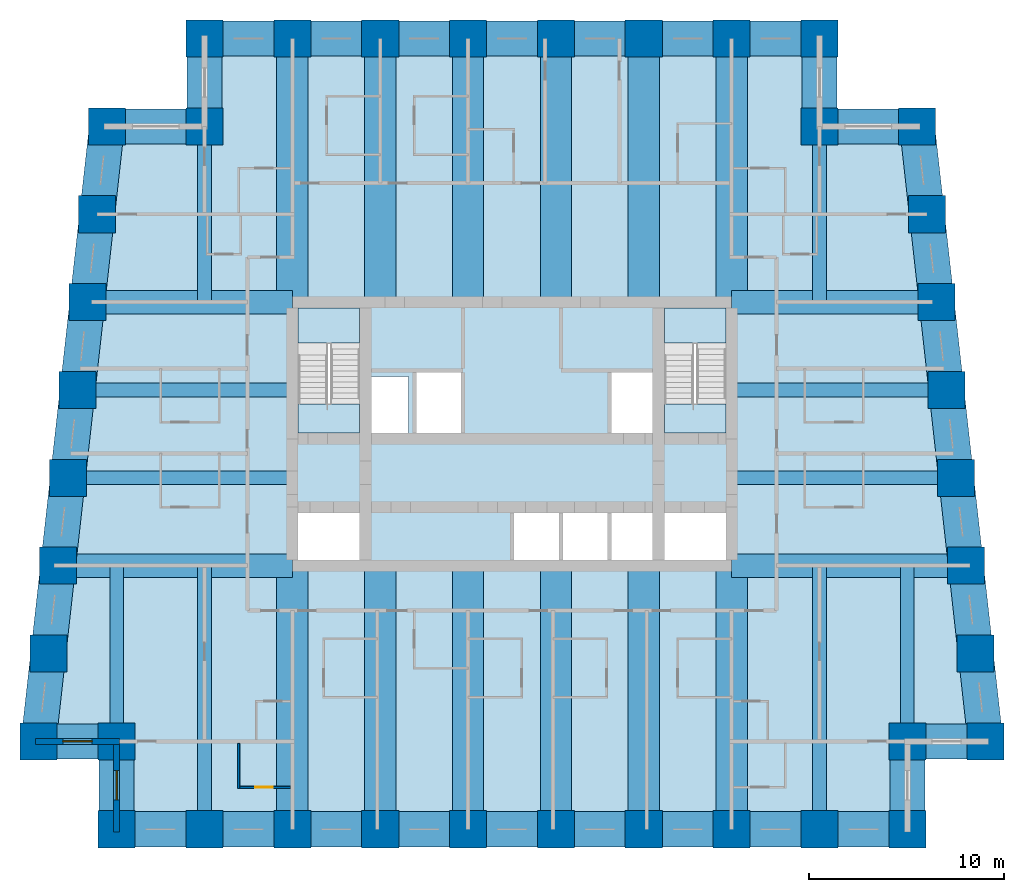
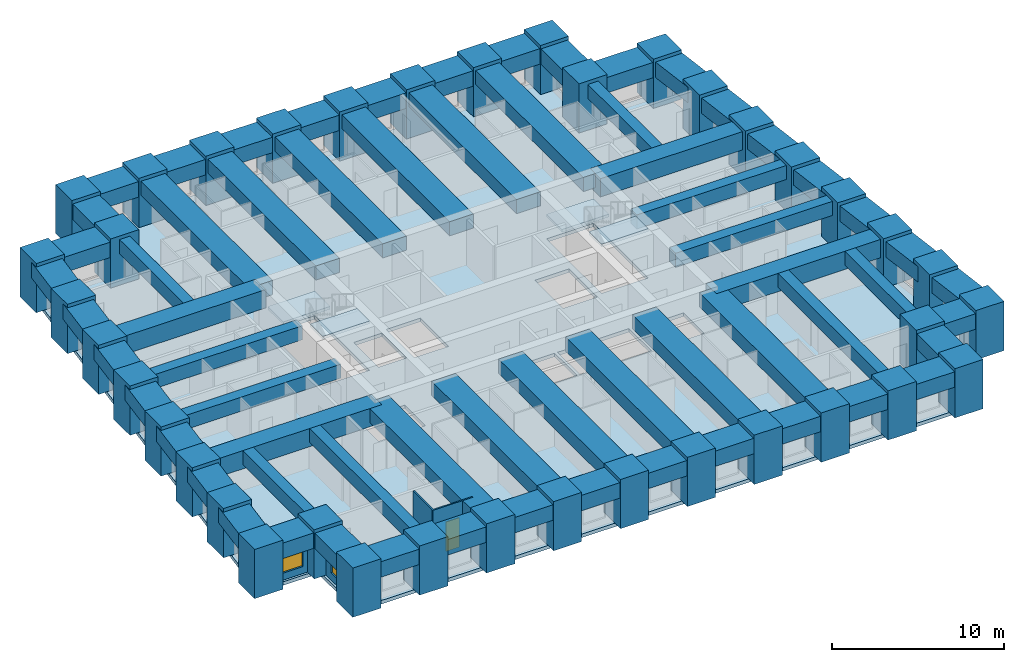
# One storey, part 1 of 8: 64 beams, 38 columns, 5 slabs, 4 walls, 2 windows, 1 door, 3 openings, 2 elements without a shape of their own.
"""IFC4 building model written with IfcOpenShell, lengths in metres."""

from ifc_helpers import new_model, si_unit, direction, frame, frame_2d, origin, origin_2d, place, context, subcontext, project, spatial, polyline, rectangle, outline, extrude, material, layer, layer_set, material_profile, profile_set, type_object, element, fill, aggregate, save


model = new_model("IFC4")

# Units and contexts
model_context = context("Model", 3, precision=1e-05, world=origin(), true_north=direction((0.0, 1.0)))
body_context = subcontext(model_context, "Body", "Model", "MODEL_VIEW")
ifc_project = project(units=[si_unit("LENGTHUNIT", "METRE"), si_unit("AREAUNIT", "SQUARE_METRE"), si_unit("VOLUMEUNIT", "CUBIC_METRE"), si_unit("PLANEANGLEUNIT", "RADIAN"), si_unit("MASSUNIT", "GRAM", prefix="KILO")], contexts=[model_context])

# Site, building, storey
site_placement = place(None, origin())
site = spatial("IfcSite", under=ifc_project, at=site_placement, CompositionType="ELEMENT")
building_placement = place(site_placement, origin())
building = spatial("IfcBuilding", under=site, at=building_placement, Name="Kilele Tower Hotel", CompositionType="ELEMENT")
storey_placement = place(building_placement, frame((0.0, 0.0, 100.39990234375)))
storey = spatial("IfcBuildingStorey", under=building, at=storey_placement, Name="L25", CompositionType="ELEMENT", Elevation=100.39990234375)

# Columns
ifc_material_1 = material(Name="Concrete C70/85", Category="concrete")
ifc_material_profile_1 = material_profile(ifc_material_1, rectangle(XDim=1.89990234375, YDim=1.89990234375, at=origin_2d()))
ifc_profile_set_1 = profile_set([ifc_material_profile_1], Name="Concrete C70/85")
column_type = type_object("IfcColumnType", Name="Tube column RC 1900x1900 C70/85", PredefinedType="COLUMN", material=ifc_profile_set_1)
for number, where, z_axis, x_axis, name in (
    (1, (0.5, 4.5, 0.0), (0.0, 0.0, 1.0), (1.0, 0.0, 0.0), "Column TC2 L25"),
    (2, (4.5, 4.5, 0.0), (0.0, 0.0, 1.0), (1.0, 0.0, 0.0), "Column TC2 L25"),
    (3, (4.5, 0.0, 0.0), (0.0, 0.0, 1.0), (1.0, 0.0, 0.0), "Column TC2 L25"),
    (4, (9.0, 0.0, 0.0), (0.0, 0.0, 1.0), (1.0, 0.0, 0.0), "Column TC2 L25"),
    (5, (13.5, 0.0, 0.0), (0.0, 0.0, 1.0), (1.0, 0.0, 0.0), "Column TC2 L25"),
    (6, (18.0, 0.0, 0.0), (0.0, 0.0, 1.0), (1.0, 0.0, 0.0), "Column TC2 L25"),
    (7, (22.5, 0.0, 0.0), (0.0, 0.0, 1.0), (1.0, 0.0, 0.0), "Column TC2 L25"),
    (8, (27.0, 0.0, 0.0), (0.0, 0.0, 1.0), (1.0, 0.0, 0.0), "Column TC2 L25"),
    (9, (31.5, 0.0, 0.0), (0.0, 0.0, 1.0), (1.0, 0.0, 0.0), "Column TC2 L25"),
    (10, (36.0, 0.0, 0.0), (0.0, 0.0, 1.0), (1.0, 0.0, 0.0), "Column TC2 L25"),
    (11, (40.5, 0.0, 0.0), (0.0, 0.0, 1.0), (1.0, 0.0, 0.0), "Column TC2 L25"),
    (12, (45.0, 0.0, 0.0), (0.0, 0.0, 1.0), (1.0, 0.0, 0.0), "Column TC2 L25"),
    (13, (45.0, 4.5, 0.0), (0.0, 0.0, 1.0), (1.0, 0.0, 0.0), "Column TC2 L25"),
    (14, (49.0, 4.5, 0.0), (0.0, 0.0, 1.0), (1.0, 0.0, 0.0), "Column TC2 L25"),
    (15, (48.5, 9.0, 0.0), (0.0, 0.0, 1.0), (1.0, 0.0, 0.0), "Column TC2 L25"),
    (16, (48.0, 13.5, 0.0), (0.0, 0.0, 1.0), (1.0, 0.0, 0.0), "Column TC2 L25"),
    (17, (47.5, 18.0, 0.0), (0.0, 0.0, 1.0), (1.0, 0.0, 0.0), "Column TC2 L25"),
    (18, (47.0, 22.5, 0.0), (0.0, 0.0, 1.0), (1.0, 0.0, 0.0), "Column TC2 L25"),
    (19, (46.5, 27.0, 0.0), (0.0, 0.0, 1.0), (1.0, 0.0, 0.0), "Column TC2 L25"),
    (20, (46.0, 31.5, 0.0), (0.0, 0.0, 1.0), (1.0, 0.0, 0.0), "Column TC2 L25"),
    (21, (45.5, 36.0, 0.0), (0.0, 0.0, 1.0), (1.0, 0.0, 0.0), "Column TC2 L25"),
    (22, (40.5, 36.0, 0.0), (0.0, 0.0, 1.0), (1.0, 0.0, 0.0), "Column TC2 L25"),
    (23, (40.5, 40.5, 0.0), (0.0, 0.0, 1.0), (1.0, 0.0, 0.0), "Column TC2 L25"),
    (24, (36.0, 40.5, 0.0), (0.0, 0.0, 1.0), (1.0, 0.0, 0.0), "Column TC2 L25"),
    (25, (31.5, 40.5, 0.0), (0.0, 0.0, 1.0), (1.0, 0.0, 0.0), "Column TC2 L25"),
    (26, (27.0, 40.5, 0.0), (0.0, 0.0, 1.0), (1.0, 0.0, 0.0), "Column TC2 L25"),
    (27, (22.5, 40.5, 0.0), (0.0, 0.0, 1.0), (1.0, 0.0, 0.0), "Column TC2 L25"),
    (28, (18.0, 40.5, 0.0), (0.0, 0.0, 1.0), (1.0, 0.0, 0.0), "Column TC2 L25"),
    (29, (13.5, 40.5, 0.0), (0.0, 0.0, 1.0), (1.0, 0.0, 0.0), "Column TC2 L25"),
    (30, (9.0, 40.5, 0.0), (0.0, 0.0, 1.0), (1.0, 0.0, 0.0), "Column TC2 L25"),
    (31, (9.0, 36.0, 0.0), (0.0, 0.0, 1.0), (1.0, 0.0, 0.0), "Column TC2 L25"),
    (32, (4.0, 36.0, 0.0), (0.0, 0.0, 1.0), (1.0, 0.0, 0.0), "Column TC2 L25"),
    (33, (3.5, 31.5, 0.0), (0.0, 0.0, 1.0), (1.0, 0.0, 0.0), "Column TC2 L25"),
    (34, (3.0, 27.0, 0.0), (0.0, 0.0, 1.0), (1.0, 0.0, 0.0), "Column TC2 L25"),
    (35, (2.5, 22.5, 0.0), (0.0, 0.0, 1.0), (1.0, 0.0, 0.0), "Column TC2 L25"),
    (36, (2.0, 18.0, 0.0), (0.0, 0.0, 1.0), (1.0, 0.0, 0.0), "Column TC2 L25"),
    (37, (1.5, 13.5, 0.0), (0.0, 0.0, 1.0), (1.0, 0.0, 0.0), "Column TC2 L25"),
    (38, (1.0, 9.0, 0.0), (0.0, 0.0, 1.0), (1.0, 0.0, 0.0), "Column TC2 L25"),
):
    element("IfcColumn", number, at=place(storey_placement, frame(where, z_axis=z_axis, x_axis=x_axis)), inside=storey, type_object=column_type, Name=name, PredefinedType="COLUMN", context=body_context, shape_type="SweptSolid", body=[
        extrude(rectangle(XDim=1.89990234375, YDim=1.89990234375, at=origin_2d()), origin(), (0.0, 0.0, 1.0), 3.5),
    ])

# Beams
ifc_material_2 = material(Name="Concrete C60/75", Category="concrete")
ifc_material_profile_2 = material_profile(ifc_material_2, rectangle(XDim=1.60009765625, YDim=1.0, at=origin_2d()))
ifc_profile_set_2 = profile_set([ifc_material_profile_2], Name="Concrete C60/75")
beam_type_1 = type_object("IfcBeamType", Name="Beam RC 1600x1000 C60/75", PredefinedType="BEAM", material=ifc_profile_set_2)
for number, where, z_axis, x_axis, name in (
    (39, (13.5, 0.0, 2.75), (0.0, 1.0, 0.0), (-1.0, 0.0, 0.0), "Beam BC1 level L26"),
    (40, (18.0, 0.0, 2.75), (0.0, 1.0, 0.0), (-1.0, 0.0, 0.0), "Beam BC1 level L26"),
    (41, (22.5, 0.0, 2.75), (0.0, 1.0, 0.0), (-1.0, 0.0, 0.0), "Beam BC1 level L26"),
    (42, (27.0, 0.0, 2.75), (0.0, 1.0, 0.0), (-1.0, 0.0, 0.0), "Beam BC1 level L26"),
    (43, (31.5, 0.0, 2.75), (0.0, 1.0, 0.0), (-1.0, 0.0, 0.0), "Beam BC1 level L26"),
    (44, (36.0, 0.0, 2.75), (0.0, 1.0, 0.0), (-1.0, 0.0, 0.0), "Beam BC1 level L26"),
    (45, (36.0, 40.5, 2.75), (0.0, -1.0, 0.0), (1.0, 0.0, 0.0), "Beam BC1 level L26"),
    (46, (31.5, 40.5, 2.75), (0.0, -1.0, 0.0), (1.0, 0.0, 0.0), "Beam BC1 level L26"),
    (47, (27.0, 40.5, 2.75), (0.0, -1.0, 0.0), (1.0, 0.0, 0.0), "Beam BC1 level L26"),
    (48, (22.5, 40.5, 2.75), (0.0, -1.0, 0.0), (1.0, 0.0, 0.0), "Beam BC1 level L26"),
    (49, (18.0, 40.5, 2.75), (0.0, -1.0, 0.0), (1.0, 0.0, 0.0), "Beam BC1 level L26"),
    (50, (13.5, 40.5, 2.75), (0.0, -1.0, 0.0), (1.0, 0.0, 0.0), "Beam BC1 level L26"),
):
    element("IfcBeam", number, at=place(storey_placement, frame(where, z_axis=z_axis, x_axis=x_axis)), inside=storey, type_object=beam_type_1, Name=name, PredefinedType="BEAM", context=body_context, shape_type="SweptSolid", body=[
        extrude(rectangle(XDim=1.60009765625, YDim=1.0, at=origin_2d()), origin(), (0.0, 0.0, 1.0), 13.5),
    ])
ifc_material_3 = material(Name="Concrete C60/75", Category="concrete")
ifc_material_profile_3 = material_profile(ifc_material_3, rectangle(XDim=0.699951171875, YDim=1.0, at=origin_2d()))
ifc_profile_set_3 = profile_set([ifc_material_profile_3], Name="Concrete C60/75")
beam_type_2 = type_object("IfcBeamType", Name="Beam RC 700x1000 C60/75", PredefinedType="BEAM", material=ifc_profile_set_3)
for number, where, z_axis, x_axis, name in (
    (51, (9.0, 0.0, 2.75), (0.0, 1.0, 0.0), (-1.0, 0.0, 0.0), "Beam B4 level L26"),
    (52, (40.5, 0.0, 2.75), (0.0, 1.0, 0.0), (-1.0, 0.0, 0.0), "Beam B4 level L26"),
):
    element("IfcBeam", number, at=place(storey_placement, frame(where, z_axis=z_axis, x_axis=x_axis)), inside=storey, type_object=beam_type_2, Name=name, PredefinedType="BEAM", context=body_context, shape_type="SweptSolid", body=[
        extrude(rectangle(XDim=0.699951171875, YDim=1.0, at=origin_2d()), origin(), (0.0, 0.0, 1.0), 13.5),
    ])
ifc_material_4 = material(Name="Concrete C60/75", Category="concrete")
ifc_material_profile_4 = material_profile(ifc_material_4, rectangle(XDim=0.699951171875, YDim=1.0, at=origin_2d()))
ifc_profile_set_4 = profile_set([ifc_material_profile_4], Name="Concrete C60/75")
beam_type_3 = type_object("IfcBeamType", Name="Beam RC 700x1000 C60/75 mid span", PredefinedType="BEAM", material=ifc_profile_set_4)
for number, where, z_axis, x_axis, name in (
    (53, (4.5, 4.5, 2.75), (0.0, 1.0, 0.0), (-1.0, 0.0, 0.0), "Beam B5 level L26"),
    (54, (45.0, 4.5, 2.75), (0.0, 1.0, 0.0), (-1.0, 0.0, 0.0), "Beam B5 level L26"),
):
    element("IfcBeam", number, at=place(storey_placement, frame(where, z_axis=z_axis, x_axis=x_axis)), inside=storey, type_object=beam_type_3, Name=name, PredefinedType="BEAM", context=body_context, shape_type="SweptSolid", body=[
        extrude(rectangle(XDim=0.699951171875, YDim=1.0, at=origin_2d()), origin(), (0.0, 0.0, 1.0), 9.0),
    ])
beam_1_placement = place(storey_placement, frame((47.5, 18.0, 2.75), z_axis=(-1.0, 0.0, 0.0), x_axis=(0.0, -1.0, 0.0)))
element("IfcBeam", 55, at=beam_1_placement, inside=storey, type_object=beam_type_3, Name="Beam B5 level L26", PredefinedType="BEAM", context=body_context, shape_type="SweptSolid", body=[
    extrude(rectangle(XDim=0.699951171875, YDim=1.0, at=origin_2d()), origin(), (0.0, 0.0, 1.0), 11.5),
])
beam_2_placement = place(storey_placement, frame((47.0, 22.5, 2.75), z_axis=(-1.0, 0.0, 0.0), x_axis=(0.0, -1.0, 0.0)))
element("IfcBeam", 56, at=beam_2_placement, inside=storey, type_object=beam_type_3, Name="Beam B5 level L26", PredefinedType="BEAM", context=body_context, shape_type="SweptSolid", body=[
    extrude(rectangle(XDim=0.699951171875, YDim=1.0, at=origin_2d()), origin(), (0.0, 0.0, 1.0), 11.0),
])
for number, where, z_axis, x_axis, name in (
    (57, (40.5, 36.0, 2.75), (0.0, -1.0, 0.0), (1.0, 0.0, 0.0), "Beam B5 level L26"),
    (58, (9.0, 36.0, 2.75), (0.0, -1.0, 0.0), (1.0, 0.0, 0.0), "Beam B5 level L26"),
):
    element("IfcBeam", number, at=place(storey_placement, frame(where, z_axis=z_axis, x_axis=x_axis)), inside=storey, type_object=beam_type_3, Name=name, PredefinedType="BEAM", context=body_context, shape_type="SweptSolid", body=[
        extrude(rectangle(XDim=0.699951171875, YDim=1.0, at=origin_2d()), origin(), (0.0, 0.0, 1.0), 9.0),
    ])
beam_3_placement = place(storey_placement, frame((2.5, 22.5, 2.75), z_axis=(1.0, 0.0, 0.0), x_axis=(0.0, 1.0, 0.0)))
element("IfcBeam", 59, at=beam_3_placement, inside=storey, type_object=beam_type_3, Name="Beam B5 level L26", PredefinedType="BEAM", context=body_context, shape_type="SweptSolid", body=[
    extrude(rectangle(XDim=0.699951171875, YDim=1.0, at=origin_2d()), origin(), (0.0, 0.0, 1.0), 11.0),
])
beam_4_placement = place(storey_placement, frame((2.0, 18.0, 2.75), z_axis=(1.0, 0.0, 0.0), x_axis=(0.0, 1.0, 0.0)))
element("IfcBeam", 60, at=beam_4_placement, inside=storey, type_object=beam_type_3, Name="Beam B5 level L26", PredefinedType="BEAM", context=body_context, shape_type="SweptSolid", body=[
    extrude(rectangle(XDim=0.699951171875, YDim=1.0, at=origin_2d()), origin(), (0.0, 0.0, 1.0), 11.5),
])
ifc_material_5 = material(Name="Concrete C60/75", Category="concrete")
ifc_material_profile_5 = material_profile(ifc_material_5, rectangle(XDim=1.199951171875, YDim=1.300048828125, at=origin_2d()))
ifc_profile_set_5 = profile_set([ifc_material_profile_5], Name="Concrete C60/75")
beam_type_4 = type_object("IfcBeamType", Name="Girder RC 1200x1300 C60/75", PredefinedType="BEAM", material=ifc_profile_set_5)
for number, where, z_axis, x_axis, name in (
    (61, (48.0, 13.5, 2.60009765625), (-1.0, 0.0, 0.0), (0.0, -1.0, 0.0), "Girder G1 level L26"),
    (62, (1.5, 13.5, 2.60009765625), (1.0, 0.0, 0.0), (0.0, 1.0, 0.0), "Girder G1 level L26"),
):
    element("IfcBeam", number, at=place(storey_placement, frame(where, z_axis=z_axis, x_axis=x_axis)), inside=storey, type_object=beam_type_4, Name=name, PredefinedType="BEAM", context=body_context, shape_type="SweptSolid", body=[
        extrude(rectangle(XDim=1.199951171875, YDim=1.300048828125, at=origin_2d()), origin(), (0.0, 0.0, 1.0), 12.0),
    ])
ifc_material_6 = material(Name="Concrete C60/75", Category="concrete")
ifc_material_profile_6 = material_profile(ifc_material_6, rectangle(XDim=1.199951171875, YDim=1.300048828125, at=origin_2d()))
ifc_profile_set_6 = profile_set([ifc_material_profile_6], Name="Concrete C60/75")
beam_type_5 = type_object("IfcBeamType", Name="Girder RC 1200x1300 C60/75 mid span", PredefinedType="BEAM", material=ifc_profile_set_6)
for number, where, z_axis, x_axis, name in (
    (63, (46.5, 27.0, 2.60009765625), (-1.0, 0.0, 0.0), (0.0, -1.0, 0.0), "Girder G3 level L26"),
    (64, (3.0, 27.0, 2.60009765625), (1.0, 0.0, 0.0), (0.0, 1.0, 0.0), "Girder G3 level L26"),
):
    element("IfcBeam", number, at=place(storey_placement, frame(where, z_axis=z_axis, x_axis=x_axis)), inside=storey, type_object=beam_type_5, Name=name, PredefinedType="BEAM", context=body_context, shape_type="SweptSolid", body=[
        extrude(rectangle(XDim=1.199951171875, YDim=1.300048828125, at=origin_2d()), origin(), (0.0, 0.0, 1.0), 10.5),
    ])
ifc_material_7 = material(Name="Concrete C60/75", Category="concrete")
ifc_material_profile_7 = material_profile(ifc_material_7, rectangle(XDim=1.800048828125, YDim=1.10009765625, at=origin_2d()))
ifc_profile_set_7 = profile_set([ifc_material_profile_7], Name="Concrete C60/75")
beam_type_6 = type_object("IfcBeamType", Name="Spandrel RC 1800x1100 C60/75", PredefinedType="SPANDREL", material=ifc_profile_set_7)
beam_5_placement = place(storey_placement, frame((0.5, 4.5, 2.7001953125), z_axis=(1.0, 0.0, 0.0), x_axis=(0.0, 1.0, 0.0)))
element("IfcBeam", 65, at=beam_5_placement, inside=storey, type_object=beam_type_6, Name="Spandrel SP4 level L26", PredefinedType="SPANDREL", context=body_context, shape_type="SweptSolid", body=[
    extrude(rectangle(XDim=1.800048828125, YDim=1.10009765625, at=origin_2d()), origin(), (0.0, 0.0, 1.0), 4.0),
])
for number, where, z_axis, x_axis, name in (
    (66, (4.5, 4.5, 2.7001953125), (0.0, -1.0, 0.0), (1.0, 0.0, 0.0), "Spandrel SP4 level L26"),
    (67, (4.5, 0.0, 2.7001953125), (1.0, 0.0, 0.0), (0.0, 1.0, 0.0), "Spandrel SP4 level L26"),
    (68, (9.0, 0.0, 2.7001953125), (1.0, 0.0, 0.0), (0.0, 1.0, 0.0), "Spandrel SP4 level L26"),
    (69, (13.5, 0.0, 2.7001953125), (1.0, 0.0, 0.0), (0.0, 1.0, 0.0), "Spandrel SP4 level L26"),
    (70, (18.0, 0.0, 2.7001953125), (1.0, 0.0, 0.0), (0.0, 1.0, 0.0), "Spandrel SP4 level L26"),
    (71, (22.5, 0.0, 2.7001953125), (1.0, 0.0, 0.0), (0.0, 1.0, 0.0), "Spandrel SP4 level L26"),
    (72, (27.0, 0.0, 2.7001953125), (1.0, 0.0, 0.0), (0.0, 1.0, 0.0), "Spandrel SP4 level L26"),
    (73, (31.5, 0.0, 2.7001953125), (1.0, 0.0, 0.0), (0.0, 1.0, 0.0), "Spandrel SP4 level L26"),
    (74, (36.0, 0.0, 2.7001953125), (1.0, 0.0, 0.0), (0.0, 1.0, 0.0), "Spandrel SP4 level L26"),
    (75, (40.5, 0.0, 2.7001953125), (1.0, 0.0, 0.0), (0.0, 1.0, 0.0), "Spandrel SP4 level L26"),
    (76, (45.0, 0.0, 2.7001953125), (0.0, 1.0, 0.0), (-1.0, 0.0, 0.0), "Spandrel SP4 level L26"),
):
    element("IfcBeam", number, at=place(storey_placement, frame(where, z_axis=z_axis, x_axis=x_axis)), inside=storey, type_object=beam_type_6, Name=name, PredefinedType="SPANDREL", context=body_context, shape_type="SweptSolid", body=[
        extrude(rectangle(XDim=1.800048828125, YDim=1.10009765625, at=origin_2d()), origin(), (0.0, 0.0, 1.0), 4.5),
    ])
beam_6_placement = place(storey_placement, frame((45.0, 4.5, 2.7001953125), z_axis=(1.0, 0.0, 0.0), x_axis=(0.0, 1.0, 0.0)))
element("IfcBeam", 77, at=beam_6_placement, inside=storey, type_object=beam_type_6, Name="Spandrel SP4 level L26", PredefinedType="SPANDREL", context=body_context, shape_type="SweptSolid", body=[
    extrude(rectangle(XDim=1.800048828125, YDim=1.10009765625, at=origin_2d()), origin(), (0.0, 0.0, 1.0), 4.0),
])
for number, where, z_axis, x_axis, name in (
    (78, (49.0, 4.5, 2.7001953125), (-0.110431526075, 0.993883734674, 0.0), (-0.993883734674, -0.110431526075, 0.0), "Spandrel SP4 level L26"),
    (79, (48.5, 9.0, 2.7001953125), (-0.110431526075, 0.993883734674, 0.0), (-0.993883734674, -0.110431526075, 0.0), "Spandrel SP4 level L26"),
    (80, (48.0, 13.5, 2.7001953125), (-0.110431526075, 0.993883734674, 0.0), (-0.993883734674, -0.110431526075, 0.0), "Spandrel SP4 level L26"),
    (81, (47.5, 18.0, 2.7001953125), (-0.110431526075, 0.993883734674, 0.0), (-0.993883734674, -0.110431526075, 0.0), "Spandrel SP4 level L26"),
    (82, (47.0, 22.5, 2.7001953125), (-0.110431526075, 0.993883734674, 0.0), (-0.993883734674, -0.110431526075, 0.0), "Spandrel SP4 level L26"),
    (83, (46.5, 27.0, 2.7001953125), (-0.110431526075, 0.993883734674, 0.0), (-0.993883734674, -0.110431526075, 0.0), "Spandrel SP4 level L26"),
    (84, (46.0, 31.5, 2.7001953125), (-0.110431526075, 0.993883734674, 0.0), (-0.993883734674, -0.110431526075, 0.0), "Spandrel SP4 level L26"),
):
    element("IfcBeam", number, at=place(storey_placement, frame(where, z_axis=z_axis, x_axis=x_axis)), inside=storey, type_object=beam_type_6, Name=name, PredefinedType="SPANDREL", context=body_context, shape_type="SweptSolid", body=[
        extrude(rectangle(XDim=1.800048828125, YDim=1.10009765625, at=origin_2d()), origin(), (0.0, 0.0, 1.0), 4.527587890625),
    ])
beam_7_placement = place(storey_placement, frame((45.5, 36.0, 2.7001953125), z_axis=(-1.0, 0.0, 0.0), x_axis=(0.0, -1.0, 0.0)))
element("IfcBeam", 85, at=beam_7_placement, inside=storey, type_object=beam_type_6, Name="Spandrel SP4 level L26", PredefinedType="SPANDREL", context=body_context, shape_type="SweptSolid", body=[
    extrude(rectangle(XDim=1.800048828125, YDim=1.10009765625, at=origin_2d()), origin(), (0.0, 0.0, 1.0), 5.0),
])
for number, where, z_axis, x_axis, name in (
    (86, (40.5, 36.0, 2.7001953125), (0.0, 1.0, 0.0), (-1.0, 0.0, 0.0), "Spandrel SP4 level L26"),
    (87, (40.5, 40.5, 2.7001953125), (-1.0, 0.0, 0.0), (0.0, -1.0, 0.0), "Spandrel SP4 level L26"),
    (88, (36.0, 40.5, 2.7001953125), (-1.0, 0.0, 0.0), (0.0, -1.0, 0.0), "Spandrel SP4 level L26"),
    (89, (31.5, 40.5, 2.7001953125), (-1.0, 0.0, 0.0), (0.0, -1.0, 0.0), "Spandrel SP4 level L26"),
    (90, (27.0, 40.5, 2.7001953125), (-1.0, 0.0, 0.0), (0.0, -1.0, 0.0), "Spandrel SP4 level L26"),
    (91, (22.5, 40.5, 2.7001953125), (-1.0, 0.0, 0.0), (0.0, -1.0, 0.0), "Spandrel SP4 level L26"),
    (92, (18.0, 40.5, 2.7001953125), (-1.0, 0.0, 0.0), (0.0, -1.0, 0.0), "Spandrel SP4 level L26"),
    (93, (13.5, 40.5, 2.7001953125), (-1.0, 0.0, 0.0), (0.0, -1.0, 0.0), "Spandrel SP4 level L26"),
    (94, (9.0, 40.5, 2.7001953125), (0.0, -1.0, 0.0), (1.0, 0.0, 0.0), "Spandrel SP4 level L26"),
):
    element("IfcBeam", number, at=place(storey_placement, frame(where, z_axis=z_axis, x_axis=x_axis)), inside=storey, type_object=beam_type_6, Name=name, PredefinedType="SPANDREL", context=body_context, shape_type="SweptSolid", body=[
        extrude(rectangle(XDim=1.800048828125, YDim=1.10009765625, at=origin_2d()), origin(), (0.0, 0.0, 1.0), 4.5),
    ])
beam_8_placement = place(storey_placement, frame((9.0, 36.0, 2.7001953125), z_axis=(-1.0, 0.0, 0.0), x_axis=(0.0, -1.0, 0.0)))
element("IfcBeam", 95, at=beam_8_placement, inside=storey, type_object=beam_type_6, Name="Spandrel SP4 level L26", PredefinedType="SPANDREL", context=body_context, shape_type="SweptSolid", body=[
    extrude(rectangle(XDim=1.800048828125, YDim=1.10009765625, at=origin_2d()), origin(), (0.0, 0.0, 1.0), 5.0),
])
for number, where, z_axis, x_axis, name in (
    (96, (4.0, 36.0, 2.7001953125), (-0.110431526075, -0.993883734674, 0.0), (0.993883734674, -0.110431526075, 0.0), "Spandrel SP4 level L26"),
    (97, (3.5, 31.5, 2.7001953125), (-0.110431526075, -0.993883734674, 0.0), (0.993883734674, -0.110431526075, 0.0), "Spandrel SP4 level L26"),
    (98, (3.0, 27.0, 2.7001953125), (-0.110431526075, -0.993883734674, 0.0), (0.993883734674, -0.110431526075, 0.0), "Spandrel SP4 level L26"),
    (99, (2.5, 22.5, 2.7001953125), (-0.110431526075, -0.993883734674, 0.0), (0.993883734674, -0.110431526075, 0.0), "Spandrel SP4 level L26"),
    (100, (2.0, 18.0, 2.7001953125), (-0.110431526075, -0.993883734674, 0.0), (0.993883734674, -0.110431526075, 0.0), "Spandrel SP4 level L26"),
    (101, (1.5, 13.5, 2.7001953125), (-0.110431526075, -0.993883734674, 0.0), (0.993883734674, -0.110431526075, 0.0), "Spandrel SP4 level L26"),
    (102, (1.0, 9.0, 2.7001953125), (-0.110431526075, -0.993883734674, 0.0), (0.993883734674, -0.110431526075, 0.0), "Spandrel SP4 level L26"),
):
    element("IfcBeam", number, at=place(storey_placement, frame(where, z_axis=z_axis, x_axis=x_axis)), inside=storey, type_object=beam_type_6, Name=name, PredefinedType="SPANDREL", context=body_context, shape_type="SweptSolid", body=[
        extrude(rectangle(XDim=1.800048828125, YDim=1.10009765625, at=origin_2d()), origin(), (0.0, 0.0, 1.0), 4.527587890625),
    ])

# Slab
ifc_material_8 = material(Name="Concrete C60/75", Category="concrete")
ifc_layer_1 = layer(ifc_material_8, 0.25)
ifc_layer_set_1 = layer_set([ifc_layer_1], Name="Concrete C60/75")
slab_type_1 = type_object("IfcSlabType", Name="Floor slab 250", PredefinedType="FLOOR", material=ifc_layer_set_1)
slab_1_placement = place(storey_placement, frame((0.0, 0.0, -0.25)))
element("IfcSlab", 103, at=slab_1_placement, inside=storey, type_object=slab_type_1, Name="Floor slab L25", PredefinedType="FLOOR", context=body_context, shape_type="SweptSolid", body=[
    extrude(outline(polyline([(8.699951171875, 36.300048828125), (8.699951171875, 40.800048828125), (40.800048828125, 40.800048828125), (40.800048828125, 36.300048828125), (45.7685546875, 36.300048828125), (49.335205078125, 4.199951171875), (45.300048828125, 4.199951171875), (45.300048828125, -0.300048828125), (4.199951171875, -0.300048828125), (4.199951171875, 4.199951171875), (0.164794921875, 4.199951171875), (3.7314453125, 36.300048828125), (8.699951171875, 36.300048828125)]), holes=[polyline([(16.949951171875, 16.199951171875), (13.800048828125, 16.199951171875), (13.800048828125, 13.800048828125), (16.949951171875, 13.800048828125), (16.949951171875, 16.199951171875)]), polyline([(35.699951171875, 16.199951171875), (32.550048828125, 16.199951171875), (32.550048828125, 13.800048828125), (35.699951171875, 13.800048828125), (35.699951171875, 16.199951171875)]), polyline([(27.14990234375, 16.39990234375), (24.85009765625, 16.39990234375), (24.85009765625, 13.800048828125), (27.14990234375, 13.800048828125), (27.14990234375, 16.39990234375)]), polyline([(29.64990234375, 13.800048828125), (29.64990234375, 16.39990234375), (27.35009765625, 16.39990234375), (27.35009765625, 13.800048828125), (29.64990234375, 13.800048828125)]), polyline([(32.14990234375, 13.800048828125), (32.14990234375, 16.39990234375), (29.85009765625, 16.39990234375), (29.85009765625, 13.800048828125), (32.14990234375, 13.800048828125)]), polyline([(19.449951171875, 23.199951171875), (17.550048828125, 23.199951171875), (17.550048828125, 20.300048828125), (19.449951171875, 20.300048828125), (19.449951171875, 23.199951171875)]), polyline([(22.14990234375, 23.39990234375), (19.85009765625, 23.39990234375), (19.85009765625, 20.10009765625), (22.14990234375, 20.10009765625), (22.14990234375, 23.39990234375)]), polyline([(32.14990234375, 23.39990234375), (29.85009765625, 23.39990234375), (29.85009765625, 20.10009765625), (32.14990234375, 20.10009765625), (32.14990234375, 23.39990234375)]), polyline([(16.949951171875, 20.300048828125), (16.949951171875, 26.699951171875), (13.800048828125, 26.699951171875), (13.800048828125, 20.300048828125), (16.949951171875, 20.300048828125)]), polyline([(35.699951171875, 20.300048828125), (35.699951171875, 26.699951171875), (32.550048828125, 26.699951171875), (32.550048828125, 20.300048828125), (35.699951171875, 20.300048828125)])]), origin(), (0.0, 0.0, 1.0), 0.25),
])

# Stair, slabs
ifc_material_9 = material(Name="Precast concrete C40/50", Category="concrete")
stair_type = type_object("IfcStairType", Name="Stair 1475 x 3500", PredefinedType="HALF_TURN_STAIR", material=ifc_material_9)
stair_1_placement = place(storey_placement, origin())
stair_1 = element("IfcStair", 104, at=stair_1_placement, inside=storey, type_object=stair_type, Name="Stair 1 L25", PredefinedType="HALF_TURN_STAIR")
ifc_material_10 = material(Name="Precast concrete C40/50", Category="concrete")
ifc_layer_2 = layer(ifc_material_10, 0.199951171875)
ifc_layer_set_2 = layer_set([ifc_layer_2], Name="Precast concrete C40/50")
slab_type_2 = type_object("IfcSlabType", Name="Stair landing 200", PredefinedType="LANDING", material=ifc_layer_set_2)
slab_2_placement = place(storey_placement, frame((0.0, 0.0, 1.550048828125)))
slab_2 = element("IfcSlab", 105, at=slab_2_placement, type_object=slab_type_2, Name="ST1 landing 1", PredefinedType="LANDING", context=body_context, shape_type="SweptSolid", body=[
    extrude(outline(polyline([(13.800048828125, 24.89501953125), (16.949951171875, 24.89501953125), (16.949951171875, 26.699951171875), (13.800048828125, 26.699951171875), (13.800048828125, 24.89501953125)])), origin(), (0.0, 0.0, 1.0), 0.199951171875),
])
slab_3_placement = place(storey_placement, frame((0.0, 0.0, 3.300048828125)))
slab_3 = element("IfcSlab", 106, at=slab_3_placement, type_object=slab_type_2, Name="ST1 landing 2", PredefinedType="LANDING", context=body_context, shape_type="SweptSolid", body=[
    extrude(outline(polyline([(13.800048828125, 20.300048828125), (16.949951171875, 20.300048828125), (16.949951171875, 21.77490234375), (13.800048828125, 21.77490234375), (13.800048828125, 20.300048828125)])), origin(), (0.0, 0.0, 1.0), 0.199951171875),
])
aggregate(stair_1, [slab_2, slab_3])

stair_2_placement = place(storey_placement, origin())
stair_2 = element("IfcStair", 107, at=stair_2_placement, inside=storey, type_object=stair_type, Name="Stair 2 L25", PredefinedType="HALF_TURN_STAIR")
slab_4_placement = place(storey_placement, frame((0.0, 0.0, 1.550048828125)))
slab_4 = element("IfcSlab", 108, at=slab_4_placement, type_object=slab_type_2, Name="ST2 landing 1", PredefinedType="LANDING", context=body_context, shape_type="SweptSolid", body=[
    extrude(outline(polyline([(32.550048828125, 24.89501953125), (35.699951171875, 24.89501953125), (35.699951171875, 26.699951171875), (32.550048828125, 26.699951171875), (32.550048828125, 24.89501953125)])), origin(), (0.0, 0.0, 1.0), 0.199951171875),
])
slab_5_placement = place(storey_placement, frame((0.0, 0.0, 3.300048828125)))
slab_5 = element("IfcSlab", 109, at=slab_5_placement, type_object=slab_type_2, Name="ST2 landing 2", PredefinedType="LANDING", context=body_context, shape_type="SweptSolid", body=[
    extrude(outline(polyline([(32.550048828125, 20.300048828125), (35.699951171875, 20.300048828125), (35.699951171875, 21.77490234375), (32.550048828125, 21.77490234375), (32.550048828125, 20.300048828125)])), origin(), (0.0, 0.0, 1.0), 0.199951171875),
])
aggregate(stair_2, [slab_4, slab_5])

# Wall
ifc_material_11 = material(Name="Moisture-resistant board")
ifc_layer_3 = layer(ifc_material_11, 0.10009765625)
ifc_layer_set_3 = layer_set([ifc_layer_3], Name="Moisture-resistant board")
wall_type_1 = type_object("IfcWallType", Name="Bathroom partition 100", PredefinedType="PLUMBINGWALL", material=ifc_layer_set_3)
wall_1_placement = place(storey_placement, frame((10.75, 4.39990234375, 0.0), z_axis=(0.0, 0.0, 1.0), x_axis=(0.0, -1.0, 0.0)))
element("IfcWall", 110, at=wall_1_placement, inside=storey, type_object=wall_type_1, Name="Bathroom partition 100 L25", PredefinedType="PLUMBINGWALL", context=body_context, shape_type="SweptSolid", body=[
    extrude(rectangle(XDim=2.2998046875, YDim=0.10009765625, at=frame_2d((1.14990234375, 0.0))), origin(), (0.0, 0.0, 1.0), 3.25),
])

# Wall, opening, door
wall_2_placement = place(storey_placement, frame((13.39990234375, 2.14990234375, 0.0), z_axis=(0.0, 0.0, 1.0), x_axis=(-1.0, 0.0, 0.0)))
wall_2 = element("IfcWall", 111, at=wall_2_placement, inside=storey, type_object=wall_type_1, Name="Bathroom partition 100 L25", PredefinedType="PLUMBINGWALL", context=body_context, shape_type="SweptSolid", body=[
    extrude(rectangle(XDim=2.699951171875, YDim=0.10009765625, at=frame_2d((1.35009765625, 0.0))), origin(), (0.0, 0.0, 1.0), 3.25),
])
opening_1_placement = place(wall_2_placement, frame((0.89990234375, 0.0, 0.0)))
opening_1 = element("IfcOpeningElement", 112, at=opening_1_placement, cuts=wall_2, Name="Opening D2A", PredefinedType="OPENING", context=body_context, shape_type="SweptSolid", body=[
    extrude(rectangle(XDim=0.89990234375, YDim=2.10009765625, at=frame_2d((0.449951171875, 1.050048828125))), frame((0.0, 0.06005859375, 0.0), z_axis=(0.0, -1.0, 0.0), x_axis=(1.0, 0.0, 0.0)), (0.0, 0.0, 1.0), 0.1201171875),
])
ifc_material_12 = material(Name="Timber door leaf in hardwood frame", Category="wood")
door_type = type_object("IfcDoorType", Name="Bathroom door 900", OperationType="SINGLE_SWING_LEFT", PredefinedType="DOOR", material=ifc_material_12)
door_placement = place(opening_1_placement, origin())
door = element("IfcDoor", 113, at=door_placement, inside=storey, type_object=door_type, Name="Bathroom door 2519B", OperationType="SINGLE_SWING_LEFT", OverallHeight=2.10009765625, OverallWidth=0.89990234375, PredefinedType="DOOR", context=body_context, shape_type="SweptSolid", body=[
    extrude(rectangle(XDim=0.89990234375, YDim=2.10009765625, at=frame_2d((0.449951171875, 1.050048828125))), frame((0.0, 0.02490234375, 0.0), z_axis=(0.0, -1.0, 0.0), x_axis=(1.0, 0.0, 0.0)), (0.0, 0.0, 1.0), 0.050048828125),
])
fill(opening_1, door)

# Wall, opening, window
ifc_material_13 = material(Name="Concrete C40/50 precast", Category="concrete")
ifc_layer_4 = layer(ifc_material_13, 0.260009765625, Name="Precast backing", Category="LoadBearing")
ifc_material_14 = material(Name="Reconstituted stone finish", Category="masonry")
ifc_layer_5 = layer(ifc_material_14, 0.0400390625, Name="Face mix", Category="Finish")
ifc_layer_set_4 = layer_set([ifc_layer_4, ifc_layer_5], Name="Precast concrete C40/50, reconstituted stone finish")
wall_type_2 = type_object("IfcWallType", Name="Precast stone facade wall 300", PredefinedType="STANDARD", material=ifc_layer_set_4)
wall_3_placement = place(storey_placement, frame((0.35009765625, 4.5, 0.0), z_axis=(0.0, 0.0, 1.0), x_axis=(1.0, 0.0, 0.0)))
wall_3 = element("IfcWall", 114, at=wall_3_placement, inside=storey, type_object=wall_type_2, Name="Facade wall L25 edge 1", PredefinedType="STANDARD", context=body_context, shape_type="SweptSolid", body=[
    extrude(rectangle(XDim=4.2998046875, YDim=0.300048828125, at=frame_2d((2.14990234375, 0.0))), origin(), (0.0, 0.0, 1.0), 2.150146484375),
])
opening_2_placement = place(wall_3_placement, frame((1.39990234375, 0.0, 0.5)))
opening_2 = element("IfcOpeningElement", 115, at=opening_2_placement, cuts=wall_3, Name="Opening W2", PredefinedType="OPENING", context=body_context, shape_type="SweptSolid", body=[
    extrude(rectangle(XDim=1.5, YDim=1.5, at=frame_2d((0.75, 0.75))), frame((0.0, 0.159912109375, 0.0), z_axis=(0.0, -1.0, 0.0), x_axis=(1.0, 0.0, 0.0)), (0.0, 0.0, 1.0), 0.320068359375),
])
ifc_material_15 = material(Name="Aluminium frame, clear double glazing", Category="aluminium")
window_type = type_object("IfcWindowType", Name="Window W2 1500 x 1500", PartitioningType="SINGLE_PANEL", PredefinedType="WINDOW", material=ifc_material_15)
window_1_placement = place(opening_2_placement, origin())
window_1 = element("IfcWindow", 116, at=window_1_placement, inside=storey, type_object=window_type, Name="Window L25", OverallHeight=1.5, OverallWidth=1.5, PartitioningType="SINGLE_PANEL", PredefinedType="WINDOW", context=body_context, shape_type="SweptSolid", body=[
    extrude(rectangle(XDim=1.5, YDim=1.5, at=frame_2d((0.75, 0.75))), frame((0.0, 0.030029296875, 0.0), z_axis=(0.0, -1.0, 0.0), x_axis=(1.0, 0.0, 0.0)), (0.0, 0.0, 1.0), 0.06005859375),
])
fill(opening_2, window_1)

wall_4_placement = place(storey_placement, frame((4.5, 4.64990234375, 0.0), z_axis=(0.0, 0.0, 1.0), x_axis=(0.0, -1.0, 0.0)))
wall_4 = element("IfcWall", 117, at=wall_4_placement, inside=storey, type_object=wall_type_2, Name="Facade wall L25 edge 2", PredefinedType="STANDARD", context=body_context, shape_type="SweptSolid", body=[
    extrude(rectangle(XDim=4.7998046875, YDim=0.300048828125, at=frame_2d((2.39990234375, 0.0))), origin(), (0.0, 0.0, 1.0), 2.150146484375),
])
opening_3_placement = place(wall_4_placement, frame((1.64990234375, 0.0, 0.5)))
opening_3 = element("IfcOpeningElement", 118, at=opening_3_placement, cuts=wall_4, Name="Opening W2", PredefinedType="OPENING", context=body_context, shape_type="SweptSolid", body=[
    extrude(rectangle(XDim=1.5, YDim=1.5, at=frame_2d((0.75, 0.75))), frame((0.0, 0.159912109375, 0.0), z_axis=(0.0, -1.0, 0.0), x_axis=(1.0, 0.0, 0.0)), (0.0, 0.0, 1.0), 0.320068359375),
])
window_2_placement = place(opening_3_placement, origin())
window_2 = element("IfcWindow", 119, at=window_2_placement, inside=storey, type_object=window_type, Name="Window L25", OverallHeight=1.5, OverallWidth=1.5, PartitioningType="SINGLE_PANEL", PredefinedType="WINDOW", context=body_context, shape_type="SweptSolid", body=[
    extrude(rectangle(XDim=1.5, YDim=1.5, at=frame_2d((0.75, 0.75))), frame((0.0, 0.030029296875, 0.0), z_axis=(0.0, -1.0, 0.0), x_axis=(1.0, 0.0, 0.0)), (0.0, 0.0, 1.0), 0.06005859375),
])
fill(opening_3, window_2)

save(model, "model.ifc")
